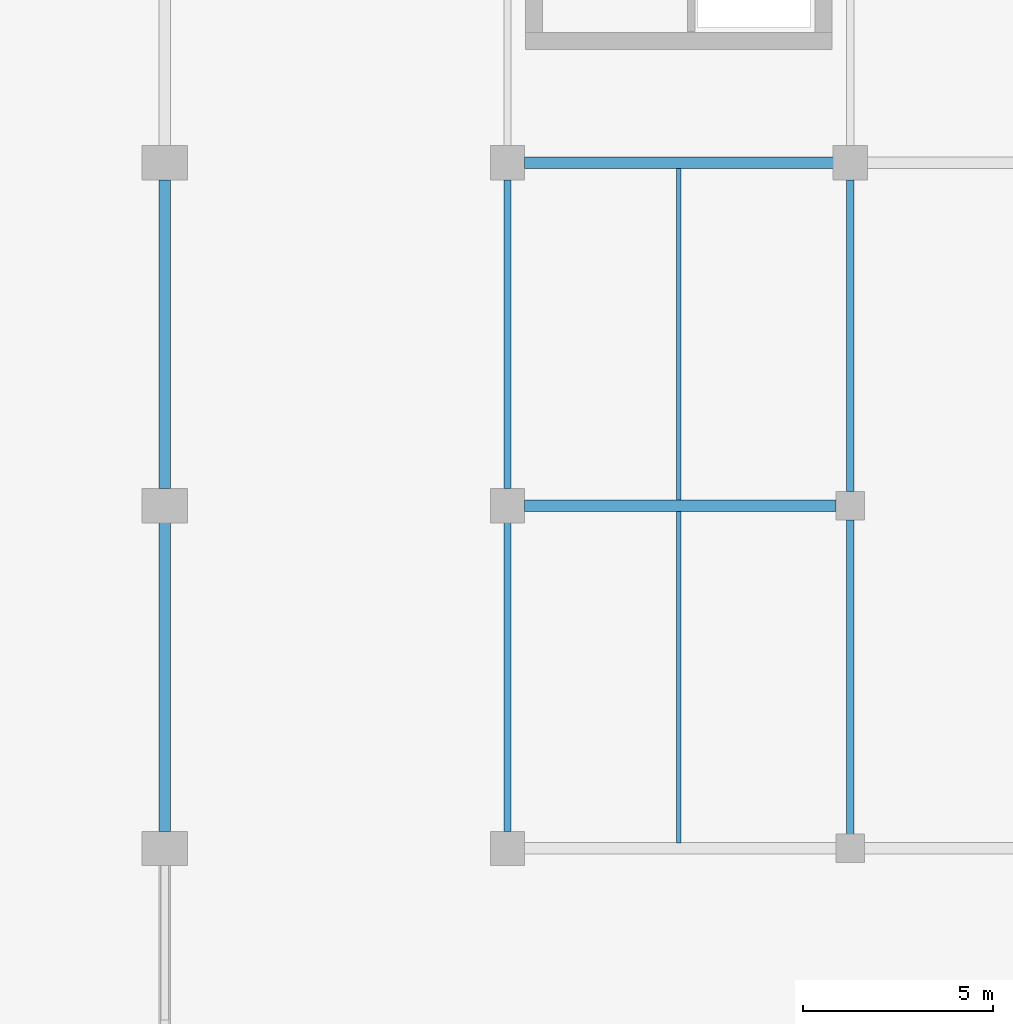
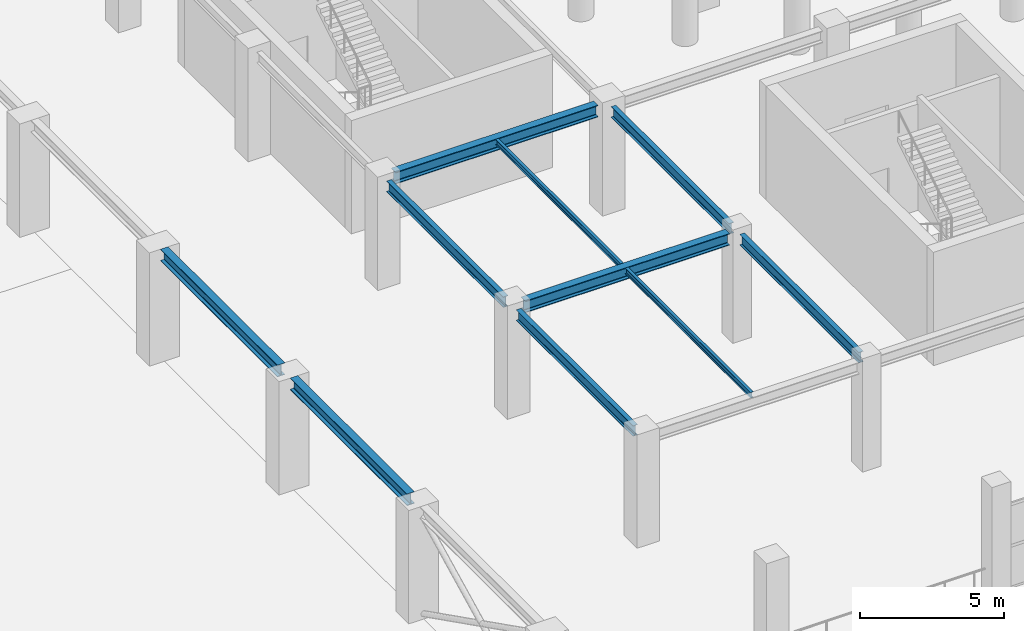
# One storey, part 13 of 89: 10 beams.
"""IFC4 building model written with IfcOpenShell, lengths in metres."""

from ifc_helpers import new_model, si_unit, direction, frame, origin, origin_2d, place, context, subcontext, project, spatial, i_section, extrude, material, material_profile, profile_set, type_object, element, save


model = new_model("IFC4")

# Units and contexts
model_context = context("Model", 3, precision=1e-05, world=origin(), true_north=direction((0.0, 1.0)))
body_context = subcontext(model_context, "Body", "Model", "MODEL_VIEW")
ifc_project = project(units=[si_unit("LENGTHUNIT", "METRE"), si_unit("AREAUNIT", "SQUARE_METRE"), si_unit("VOLUMEUNIT", "CUBIC_METRE"), si_unit("PLANEANGLEUNIT", "RADIAN"), si_unit("MASSUNIT", "GRAM", prefix="KILO")], contexts=[model_context])

# Site, building, storey
site_placement = place(None, origin())
site = spatial("IfcSite", under=ifc_project, at=site_placement, CompositionType="ELEMENT")
building_placement = place(site_placement, origin())
building = spatial("IfcBuilding", under=site, at=building_placement, Name="Dornveld Trade and Exhibition Forum", CompositionType="ELEMENT")
storey_placement = place(building_placement, frame((0.0, 0.0, 12.0)))
storey = spatial("IfcBuildingStorey", under=building, at=storey_placement, Name="L02", CompositionType="ELEMENT", Elevation=12.0)

# Beams
ifc_material_1 = material(Name="Steel S355J2", Category="steel")
ifc_material_profile_1 = material_profile(ifc_material_1, i_section(OverallWidth=0.300048828125, OverallDepth=0.5, WebThickness=0.014404296875, FlangeThickness=0.028076171875, FilletRadius=0.027099609375, at=origin_2d()), Name="HEB 500")
ifc_profile_set_1 = profile_set([ifc_material_profile_1], Name="Steel S355J2")
beam_type_1 = type_object("IfcBeamType", Name="BM-GIR-HEB500", PredefinedType="USERDEFINED", material=ifc_profile_set_1)
for number, where, z_axis, x_axis, name in (
    (1, (81.0, 45.446044921875, 4.550048828125), (0.0, 1.0, 0.0), (-1.0, 0.0, 0.0), "L02 Y-girder 1457"),
    (2, (81.0, 54.446044921875, 4.550048828125), (0.0, 1.0, 0.0), (-1.0, 0.0, 0.0), "L02 Y-girder 1458"),
):
    element("IfcBeam", number, at=place(storey_placement, frame(where, z_axis=z_axis, x_axis=x_axis)), inside=storey, type_object=beam_type_1, Name=name, ObjectType="GIRDER", PredefinedType="USERDEFINED", context=body_context, shape_type="SweptSolid", body=[
        extrude(i_section(OverallWidth=0.300048828125, OverallDepth=0.5, WebThickness=0.014404296875, FlangeThickness=0.028076171875, FilletRadius=0.027099609375, at=origin_2d()), origin(), (0.0, 0.0, 1.0), 8.10791015625),
    ])
beam_1_placement = place(storey_placement, frame((90.446044921875, 54.0, 4.27001953125), z_axis=(1.0, 0.0, 0.0), x_axis=(0.0, 1.0, 0.0)))
element("IfcBeam", 3, at=beam_1_placement, inside=storey, type_object=beam_type_1, Name="L02 X-girder 1474", ObjectType="GIRDER", PredefinedType="USERDEFINED", context=body_context, shape_type="SweptSolid", body=[
    extrude(i_section(OverallWidth=0.300048828125, OverallDepth=0.5, WebThickness=0.014404296875, FlangeThickness=0.028076171875, FilletRadius=0.027099609375, at=origin_2d()), origin(), (0.0, 0.0, 1.0), 8.182861328125),
])
beam_2_placement = place(storey_placement, frame((90.446044921875, 63.0, 4.27001953125), z_axis=(1.0, 0.0, 0.0), x_axis=(0.0, 1.0, 0.0)))
element("IfcBeam", 4, at=beam_2_placement, inside=storey, type_object=beam_type_1, Name="L02 X-girder 1477", ObjectType="GIRDER", PredefinedType="USERDEFINED", context=body_context, shape_type="SweptSolid", body=[
    extrude(i_section(OverallWidth=0.300048828125, OverallDepth=0.5, WebThickness=0.014404296875, FlangeThickness=0.028076171875, FilletRadius=0.027099609375, at=origin_2d()), origin(), (0.0, 0.0, 1.0), 8.10791015625),
])
ifc_material_2 = material(Name="Steel S355J2", Category="steel")
ifc_material_profile_2 = material_profile(ifc_material_2, i_section(OverallWidth=0.1201171875, OverallDepth=0.239990234375, WebThickness=0.006103515625, FlangeThickness=0.009765625, FilletRadius=0.014892578125, at=origin_2d()), Name="IPE 240")
ifc_profile_set_2 = profile_set([ifc_material_profile_2], Name="Steel S355J2")
beam_type_2 = type_object("IfcBeamType", Name="BM-JOIST-240", PredefinedType="JOIST", material=ifc_profile_set_2)
for number, where, z_axis, x_axis, name in (
    (5, (94.5, 45.14697265625, 4.39990234375), (0.0, 1.0, 0.0), (-1.0, 0.0, 0.0), "L02 secondary joist 1535"),
    (6, (94.5, 54.14697265625, 4.39990234375), (0.0, 1.0, 0.0), (-1.0, 0.0, 0.0), "L02 secondary joist 1536"),
):
    element("IfcBeam", number, at=place(storey_placement, frame(where, z_axis=z_axis, x_axis=x_axis)), inside=storey, type_object=beam_type_2, Name=name, PredefinedType="JOIST", context=body_context, shape_type="SweptSolid", body=[
        extrude(i_section(OverallWidth=0.1201171875, OverallDepth=0.239990234375, WebThickness=0.006103515625, FlangeThickness=0.009765625, FilletRadius=0.014892578125, at=origin_2d()), origin(), (0.0, 0.0, 1.0), 8.7060546875),
    ])
ifc_material_3 = material(Name="Steel S355J2", Category="steel")
ifc_material_profile_3 = material_profile(ifc_material_3, i_section(OverallWidth=0.18994140625, OverallDepth=0.449951171875, WebThickness=0.009521484375, FlangeThickness=0.0146484375, FilletRadius=0.02099609375, at=origin_2d()), Name="IPE 450")
ifc_profile_set_3 = profile_set([ifc_material_profile_3], Name="Steel S355J2")
beam_type_3 = type_object("IfcBeamType", Name="BM-SEC-450", PredefinedType="BEAM", material=ifc_profile_set_3)
for number, where, z_axis, x_axis, name in (
    (7, (90.0, 45.446044921875, 4.294921875), (0.0, 1.0, 0.0), (-1.0, 0.0, 0.0), "L02 Y-girder 1499"),
    (8, (90.0, 54.446044921875, 4.294921875), (0.0, 1.0, 0.0), (-1.0, 0.0, 0.0), "L02 Y-girder 1500"),
):
    element("IfcBeam", number, at=place(storey_placement, frame(where, z_axis=z_axis, x_axis=x_axis)), inside=storey, type_object=beam_type_3, Name=name, PredefinedType="BEAM", context=body_context, shape_type="SweptSolid", body=[
        extrude(i_section(OverallWidth=0.18994140625, OverallDepth=0.449951171875, WebThickness=0.009521484375, FlangeThickness=0.0146484375, FilletRadius=0.02099609375, at=origin_2d()), origin(), (0.0, 0.0, 1.0), 8.10791015625),
    ])
beam_3_placement = place(storey_placement, frame((99.0, 45.37109375, 4.294921875), z_axis=(0.0, 1.0, 0.0), x_axis=(-1.0, 0.0, 0.0)))
element("IfcBeam", 9, at=beam_3_placement, inside=storey, type_object=beam_type_3, Name="L02 Y-girder 1506", PredefinedType="BEAM", context=body_context, shape_type="SweptSolid", body=[
    extrude(i_section(OverallWidth=0.18994140625, OverallDepth=0.449951171875, WebThickness=0.009521484375, FlangeThickness=0.0146484375, FilletRadius=0.02099609375, at=origin_2d()), origin(), (0.0, 0.0, 1.0), 8.2578125),
])
beam_4_placement = place(storey_placement, frame((99.0, 54.37109375, 4.294921875), z_axis=(0.0, 1.0, 0.0), x_axis=(-1.0, 0.0, 0.0)))
element("IfcBeam", 10, at=beam_4_placement, inside=storey, type_object=beam_type_3, Name="L02 Y-girder 1507", PredefinedType="BEAM", context=body_context, shape_type="SweptSolid", body=[
    extrude(i_section(OverallWidth=0.18994140625, OverallDepth=0.449951171875, WebThickness=0.009521484375, FlangeThickness=0.0146484375, FilletRadius=0.02099609375, at=origin_2d()), origin(), (0.0, 0.0, 1.0), 8.182861328125),
])

save(model, "model.ifc")
